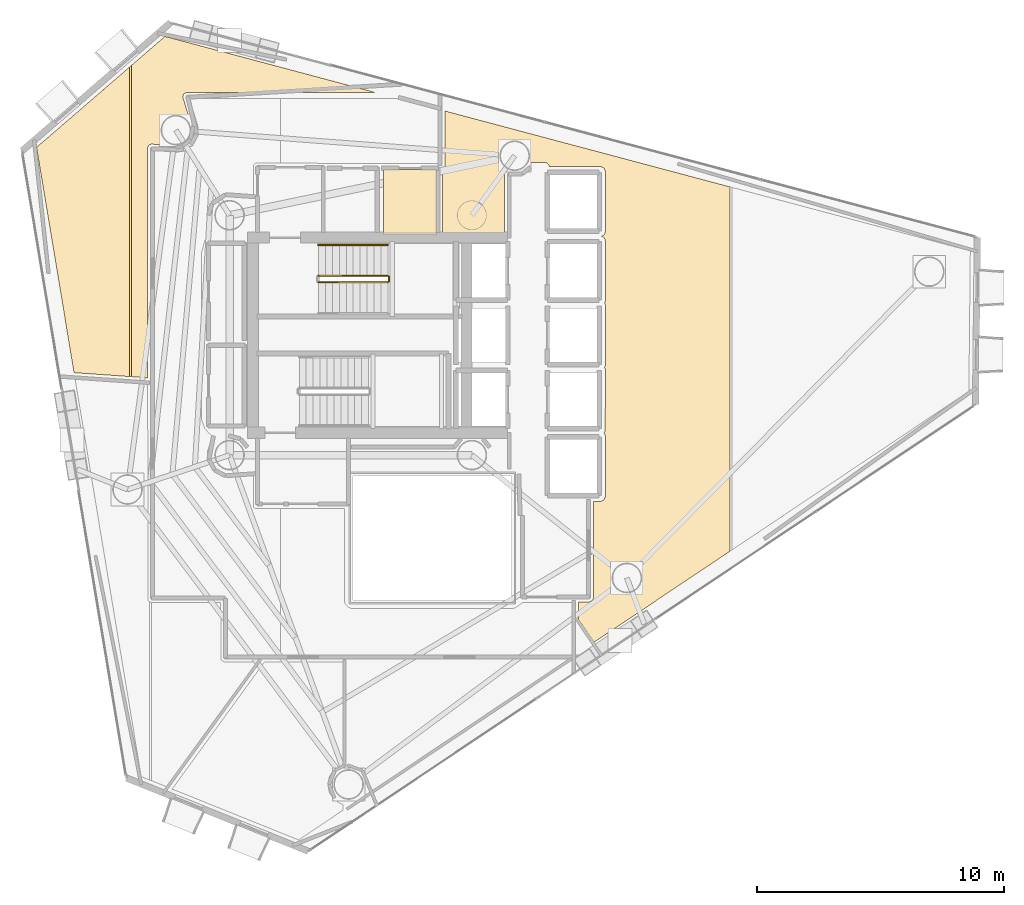
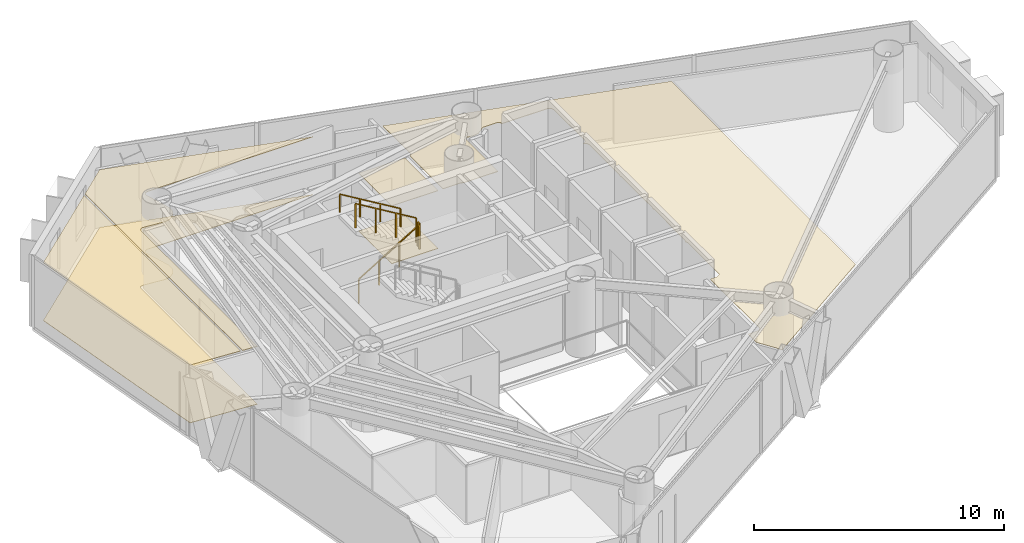
# One storey, part 20 of 21: 6 coverings, 4 railings.
"""IFC4 building model written with IfcOpenShell, lengths in metres."""

from ifc_helpers import new_model, si_unit, direction, frame, origin, origin_2d, place, context, subcontext, project, spatial, polyline, rectangle, outline, extrude, material, layer, layer_set, type_object, element, save


model = new_model("IFC4")

# Units and contexts
model_context = context("Model", 3, precision=1e-05, world=origin(), true_north=direction((0.0, 1.0)))
body_context = subcontext(model_context, "Body", "Model", "MODEL_VIEW")
ifc_project = project(units=[si_unit("LENGTHUNIT", "METRE"), si_unit("AREAUNIT", "SQUARE_METRE"), si_unit("VOLUMEUNIT", "CUBIC_METRE"), si_unit("PLANEANGLEUNIT", "RADIAN"), si_unit("MASSUNIT", "GRAM", prefix="KILO")], contexts=[model_context])

# Site, building, storey
site_placement = place(None, origin())
site = spatial("IfcSite", under=ifc_project, at=site_placement, CompositionType="ELEMENT")
building_placement = place(site_placement, origin())
building = spatial("IfcBuilding", under=site, at=building_placement, Name="Qianvela Tower", CompositionType="ELEMENT")
storey_placement = place(building_placement, frame((0.0, 0.0, 189.199951171875)))
storey = spatial("IfcBuildingStorey", under=building, at=storey_placement, Name="L48", CompositionType="ELEMENT", Elevation=189.199951171875)

# Coverings
ifc_material_1 = material(Name="Perforated Mineral Acoustic Ceiling Tile")
ifc_layer_1 = layer(ifc_material_1, 0.02490234375)
ifc_layer_set_1 = layer_set([ifc_layer_1], Name="Perforated Mineral Acoustic Ceiling Tile")
covering_type_1 = type_object("IfcCoveringType", Name="COV-CEIL-ACOUSTIC-25", PredefinedType="CEILING", material=ifc_layer_set_1)
covering_1_placement = place(storey_placement, frame((0.0, 0.0, 2.81494140625)))
element("IfcCovering", 1, at=covering_1_placement, inside=storey, type_object=covering_type_1, Name="L48 Acoustic Ceiling L48 Core Tea Pantry", PredefinedType="CEILING", context=body_context, shape_type="SweptSolid", body=[
    extrude(outline(polyline([(36.969970703125, 32.760009765625), (34.830078125, 32.760009765625), (34.830078125, 35.39990234375), (36.969970703125, 35.39990234375), (36.969970703125, 32.760009765625)])), origin(), (0.0, 0.0, 1.0), 0.025146484375),
])
covering_2_placement = place(storey_placement, frame((0.0, 0.0, 2.81494140625)))
element("IfcCovering", 2, at=covering_2_placement, inside=storey, type_object=covering_type_1, Name="L48 Acoustic Ceiling Bay 1 Student Bookshop Market L48-04", PredefinedType="CEILING", context=body_context, shape_type="SweptSolid", body=[
    extrude(outline(polyline([(43.722412109375, 32.739013671875), (43.729248046875, 32.74267578125), (43.73583984375, 32.746826171875), (43.741943359375, 32.751953125), (43.74755859375, 32.757568359375), (43.75244140625, 32.763427734375), (43.7568359375, 32.77001953125), (43.760498046875, 32.777099609375), (43.763427734375, 32.7841796875), (43.79541015625, 32.873046875), (43.7978515625, 32.8818359375), (43.799560546875, 32.890869140625), (43.800048828125, 32.89990234375), (43.800048828125, 35.300048828125), (43.799560546875, 35.30908203125), (43.7978515625, 35.318115234375), (43.79541015625, 35.326904296875), (43.763427734375, 35.415771484375), (43.760498046875, 35.423095703125), (43.7568359375, 35.429931640625), (43.75244140625, 35.4365234375), (43.74755859375, 35.4423828125), (43.741943359375, 35.447998046875), (43.73583984375, 35.453125), (43.729248046875, 35.45751953125), (43.722412109375, 35.461181640625), (43.6142578125, 35.51220703125), (43.607666015625, 35.51513671875), (43.60107421875, 35.51708984375), (43.593994140625, 35.518798828125), (43.587158203125, 35.519775390625), (43.580078125, 35.52001953125), (41.515625, 35.52001953125), (41.513916015625, 35.554931640625), (41.512939453125, 35.563232421875), (41.51123046875, 35.5712890625), (41.508544921875, 35.5791015625), (41.50537109375, 35.5869140625), (41.501220703125, 35.593994140625), (41.496337890625, 35.6005859375), (41.49072265625, 35.60693359375), (41.484619140625, 35.612548828125), (41.426513671875, 35.660400390625), (41.420166015625, 35.6650390625), (41.413330078125, 35.6689453125), (41.40625, 35.67236328125), (41.39892578125, 35.675048828125), (41.391357421875, 35.677001953125), (41.383544921875, 35.677978515625), (41.375732421875, 35.678466796875), (40.750244140625, 35.679931640625), (40.742919921875, 35.6796875), (40.7353515625, 35.6787109375), (40.728271484375, 35.677001953125), (40.72119140625, 35.674560546875), (40.71435546875, 35.671630859375), (40.7080078125, 35.668212890625), (40.701904296875, 35.663818359375), (40.361083984375, 35.406982421875), (40.127685546875, 35.360595703125), (39.859375, 35.396484375), (39.85107421875, 35.397216796875), (39.843017578125, 35.397216796875), (39.8349609375, 35.396240234375), (39.826904296875, 35.394287109375), (39.819091796875, 35.391845703125), (39.811767578125, 35.388427734375), (39.8046875, 35.38427734375), (39.798095703125, 35.37939453125), (39.7919921875, 35.3740234375), (39.78662109375, 35.367919921875), (39.78173828125, 35.361328125), (39.733154296875, 35.287841796875), (39.729248046875, 35.28125), (39.72607421875, 35.274169921875), (39.723388671875, 35.266845703125), (39.721435546875, 35.25927734375), (39.720458984375, 35.25146484375), (39.719970703125, 35.243896484375), (39.719970703125, 32.719970703125), (38.126953125, 32.719970703125), (38.051025390625, 32.760009765625), (38.0439453125, 32.763427734375), (38.03662109375, 32.765869140625), (38.029296875, 32.767822265625), (38.021484375, 32.768798828125), (38.013916015625, 32.769287109375), (37.2099609375, 32.77001953125), (37.2099609375, 35.41796875), (37.220458984375, 35.420654296875), (37.227783203125, 35.4228515625), (37.235107421875, 35.42578125), (37.241943359375, 35.4296875), (37.248291015625, 35.433837890625), (37.25439453125, 35.43896484375), (37.260009765625, 35.4443359375), (37.264892578125, 35.450439453125), (37.269287109375, 35.456787109375), (37.27294921875, 35.4638671875), (37.30224609375, 35.525634765625), (37.304931640625, 35.5322265625), (37.30712890625, 35.5390625), (37.30859375, 35.5458984375), (37.309814453125, 35.552978515625), (37.31005859375, 35.56005859375), (37.31005859375, 37.767822265625), (48.84521484375, 34.69580078125), (48.84521484375, 19.968505859375), (43.334716796875, 16.280517578125), (42.7099609375, 17.207763671875), (42.70751953125, 17.920166015625), (43.157958984375, 17.92041015625), (43.166259765625, 17.9208984375), (43.174560546875, 17.922119140625), (43.1826171875, 17.92431640625), (43.1904296875, 17.927490234375), (43.197998046875, 17.93115234375), (43.205078125, 17.935791015625), (43.211669921875, 17.941162109375), (43.2822265625, 18.005126953125), (43.2880859375, 18.010986328125), (43.293212890625, 18.017578125), (43.2978515625, 18.0244140625), (43.301513671875, 18.031982421875), (43.3046875, 18.039794921875), (43.306640625, 18.0478515625), (43.30810546875, 18.055908203125), (43.30859375, 18.064453125), (43.309326171875, 21.980712890625), (43.60791015625, 21.982666015625), (43.615478515625, 21.983154296875), (43.623291015625, 21.984375), (43.630859375, 21.986083984375), (43.637939453125, 21.98876953125), (43.64501953125, 21.9921875), (43.716796875, 22.030517578125), (43.723388671875, 22.034423828125), (43.729736328125, 22.039306640625), (43.735595703125, 22.04443359375), (43.74072265625, 22.05029296875), (43.74560546875, 22.056640625), (43.74951171875, 22.063232421875), (43.787841796875, 22.135009765625), (43.791259765625, 22.14208984375), (43.7939453125, 22.1494140625), (43.7958984375, 22.156982421875), (43.796875, 22.164794921875), (43.79736328125, 22.172607421875), (43.79736328125, 24.627197265625), (43.797119140625, 24.634521484375), (43.7958984375, 24.6416015625), (43.79443359375, 24.648681640625), (43.792236328125, 24.655517578125), (43.789306640625, 24.662109375), (43.785888671875, 24.66845703125), (43.7373046875, 24.749267578125), (43.735595703125, 24.752197265625), (43.771240234375, 24.795654296875), (43.77587890625, 24.802001953125), (43.77978515625, 24.80859375), (43.783203125, 24.815673828125), (43.785888671875, 24.822998046875), (43.787841796875, 24.83056640625), (43.788818359375, 24.83837890625), (43.789306640625, 24.84619140625), (43.800048828125, 27.2998046875), (43.799560546875, 27.3076171875), (43.798583984375, 27.315673828125), (43.79638671875, 27.323486328125), (43.793701171875, 27.3310546875), (43.7646484375, 27.39990234375), (43.793701171875, 27.468994140625), (43.79638671875, 27.476318359375), (43.79833984375, 27.484130859375), (43.799560546875, 27.491943359375), (43.800048828125, 27.5), (43.800048828125, 29.89990234375), (43.799560546875, 29.907958984375), (43.79833984375, 29.915771484375), (43.79638671875, 29.923583984375), (43.793701171875, 29.93115234375), (43.7646484375, 30.0), (43.793701171875, 30.06884765625), (43.79638671875, 30.076416015625), (43.79833984375, 30.084228515625), (43.799560546875, 30.092041015625), (43.800048828125, 30.10009765625), (43.800048828125, 32.5), (43.799560546875, 32.509033203125), (43.7978515625, 32.518310546875), (43.79541015625, 32.527099609375), (43.763427734375, 32.61572265625), (43.760498046875, 32.623046875), (43.7568359375, 32.6298828125), (43.75244140625, 32.636474609375), (43.74755859375, 32.642578125), (43.741943359375, 32.648193359375), (43.73583984375, 32.653076171875), (43.729248046875, 32.657470703125), (43.722412109375, 32.6611328125), (43.640380859375, 32.699951171875), (43.722412109375, 32.739013671875)])), origin(), (0.0, 0.0, 1.0), 0.025146484375),
])
covering_3_placement = place(storey_placement, frame((0.0, 0.0, 2.81494140625)))
element("IfcCovering", 3, at=covering_3_placement, inside=storey, type_object=covering_type_1, Name="L48 Acoustic Ceiling Bay 1 Stationery Supply Boutique L48-05", PredefinedType="CEILING", context=body_context, shape_type="SweptSolid", body=[
    extrude(outline(polyline([(22.310791015625, 27.184326171875), (20.795654296875, 36.297119140625), (24.552978515625, 39.543212890625), (24.552978515625, 27.027587890625), (22.310791015625, 27.184326171875)])), origin(), (0.0, 0.0, 1.0), 0.025146484375),
])
covering_4_placement = place(storey_placement, frame((0.0, 0.0, 2.81494140625)))
element("IfcCovering", 4, at=covering_4_placement, inside=storey, type_object=covering_type_1, Name="L48 Acoustic Ceiling Bay 2 Stationery Supply Boutique L48-05", PredefinedType="CEILING", context=body_context, shape_type="SweptSolid", body=[
    extrude(outline(polyline([(34.523193359375, 38.510009765625), (26.871826171875, 38.510009765625), (26.86474609375, 38.509765625), (26.85791015625, 38.5087890625), (26.850830078125, 38.507080078125), (26.843994140625, 38.505126953125), (26.837646484375, 38.502197265625), (26.77587890625, 38.47314453125), (26.769287109375, 38.469482421875), (26.762939453125, 38.465576171875), (26.757080078125, 38.460693359375), (26.751708984375, 38.45556640625), (26.746826171875, 38.449951171875), (26.74267578125, 38.44384765625), (26.739013671875, 38.4375), (26.73583984375, 38.4306640625), (26.7333984375, 38.423583984375), (26.7314453125, 38.41650390625), (26.716796875, 38.34228515625), (26.7158203125, 38.334716796875), (26.71533203125, 38.326904296875), (26.7158203125, 38.31884765625), (26.716796875, 38.311279296875), (26.71875, 38.3037109375), (27.0751953125, 37.128173828125), (27.0751953125, 36.864013671875), (26.97412109375, 36.61962890625), (26.902099609375, 36.531982421875), (26.682373046875, 36.385009765625), (26.423095703125, 36.33349609375), (25.457763671875, 36.42822265625), (25.448974609375, 36.4287109375), (25.440185546875, 36.427978515625), (25.431396484375, 36.426513671875), (25.423095703125, 36.423828125), (25.372314453125, 36.40576171875), (25.365478515625, 36.403076171875), (25.35888671875, 36.399658203125), (25.352783203125, 36.3955078125), (25.346923828125, 36.39111328125), (25.341552734375, 36.385986328125), (25.3369140625, 36.38037109375), (25.33251953125, 36.37451171875), (25.32861328125, 36.3681640625), (25.2998046875, 36.314208984375), (25.29638671875, 36.30712890625), (25.293701171875, 36.2998046875), (25.2919921875, 36.2919921875), (25.290771484375, 36.2841796875), (25.290283203125, 36.276611328125), (25.2900390625, 26.97607421875), (24.633056640625, 27.02197265625), (24.633056640625, 39.6123046875), (25.988037109375, 40.783203125), (34.523193359375, 38.510009765625)])), origin(), (0.0, 0.0, 1.0), 0.025146484375),
])
ifc_material_2 = material(Name="Engineered Acoustic Oak Timber Flooring", Category="wood")
ifc_layer_2 = layer(ifc_material_2, 0.02001953125)
ifc_layer_set_2 = layer_set([ifc_layer_2], Name="Engineered Acoustic Oak Timber Flooring")
covering_type_2 = type_object("IfcCoveringType", Name="COV-FLOOR-OAK-20", PredefinedType="FLOORING", material=ifc_layer_set_2)
covering_5_placement = place(storey_placement, origin())
element("IfcCovering", 5, at=covering_5_placement, inside=storey, type_object=covering_type_2, Name="L48 Finish Flooring L48 Core Tea Pantry", PredefinedType="FLOORING", context=body_context, shape_type="SweptSolid", body=[
    extrude(outline(polyline([(36.969970703125, 32.760009765625), (34.830078125, 32.760009765625), (34.830078125, 35.39990234375), (36.969970703125, 35.39990234375), (36.969970703125, 32.760009765625)])), origin(), (0.0, 0.0, 1.0), 0.02001953125),
])
covering_6_placement = place(storey_placement, origin())
element("IfcCovering", 6, at=covering_6_placement, inside=storey, type_object=covering_type_2, Name="L48 Finish Flooring Stationery Supply Boutique L48-05", PredefinedType="FLOORING", context=body_context, shape_type="SweptSolid", body=[
    extrude(outline(polyline([(25.988037109375, 40.783203125), (34.523193359375, 38.510009765625), (26.871826171875, 38.510009765625), (26.86474609375, 38.509765625), (26.85791015625, 38.5087890625), (26.850830078125, 38.507080078125), (26.843994140625, 38.505126953125), (26.837646484375, 38.502197265625), (26.77587890625, 38.47314453125), (26.769287109375, 38.469482421875), (26.762939453125, 38.465576171875), (26.757080078125, 38.460693359375), (26.751708984375, 38.45556640625), (26.746826171875, 38.449951171875), (26.74267578125, 38.44384765625), (26.739013671875, 38.4375), (26.73583984375, 38.4306640625), (26.7333984375, 38.423583984375), (26.7314453125, 38.41650390625), (26.716796875, 38.34228515625), (26.7158203125, 38.334716796875), (26.71533203125, 38.326904296875), (26.7158203125, 38.31884765625), (26.716796875, 38.311279296875), (26.71875, 38.3037109375), (27.0751953125, 37.128173828125), (27.0751953125, 36.864013671875), (26.97412109375, 36.61962890625), (26.902099609375, 36.531982421875), (26.682373046875, 36.385009765625), (26.423095703125, 36.33349609375), (25.457763671875, 36.42822265625), (25.448974609375, 36.4287109375), (25.440185546875, 36.427978515625), (25.431396484375, 36.426513671875), (25.423095703125, 36.423828125), (25.372314453125, 36.40576171875), (25.365478515625, 36.403076171875), (25.35888671875, 36.399658203125), (25.352783203125, 36.3955078125), (25.346923828125, 36.39111328125), (25.341552734375, 36.385986328125), (25.3369140625, 36.38037109375), (25.33251953125, 36.37451171875), (25.32861328125, 36.3681640625), (25.2998046875, 36.314208984375), (25.29638671875, 36.30712890625), (25.293701171875, 36.2998046875), (25.2919921875, 36.2919921875), (25.290771484375, 36.2841796875), (25.290283203125, 36.276611328125), (25.2900390625, 26.97607421875), (22.310791015625, 27.184326171875), (20.795654296875, 36.297119140625), (25.988037109375, 40.783203125)])), origin(), (0.0, 0.0, 1.0), 0.02001953125),
])

# Railings
ifc_material_3 = material(Name="Painted Tubular Steel Q355B", Category="steel")
railing_type_1 = type_object("IfcRailingType", Name="RL-STAIR-GUARD-1200", PredefinedType="GUARDRAIL", material=ifc_material_3)
railing_1_placement = place(storey_placement, frame((32.199951171875, 30.840087890625, 0.168212890625)))
element("IfcRailing", 7, at=railing_1_placement, inside=storey, type_object=railing_type_1, Name="L48 ST-1 stair guard 1", PredefinedType="GUARDRAIL", context=body_context, shape_type="SweptSolid", body=[
    extrude(rectangle(XDim=0.050048828125, YDim=0.0400390625, at=origin_2d()), frame((0.0, 0.0, 1.179931640625), z_axis=(0.857242210791, 0.0, 0.514913383045), x_axis=(0.0, 1.0, 0.0)), (0.0, 0.0, 1.0), 3.266357421875),
    extrude(rectangle(XDim=0.050048828125, YDim=0.050048828125, at=origin_2d()), origin(), (0.0, 0.0, 1.0), 1.159912109375),
    extrude(rectangle(XDim=0.050048828125, YDim=0.050048828125, at=origin_2d()), frame((0.933349609375, 0.0, 0.560546875)), (0.0, 0.0, 1.0), 1.159912109375),
    extrude(rectangle(XDim=0.050048828125, YDim=0.050048828125, at=origin_2d()), frame((1.86669921875, 0.0, 1.121337890625)), (0.0, 0.0, 1.0), 1.159912109375),
    extrude(rectangle(XDim=0.050048828125, YDim=0.050048828125, at=origin_2d()), frame((2.800048828125, 0.0, 1.681884765625)), (0.0, 0.0, 1.0), 1.159912109375),
])
railing_2_placement = place(storey_placement, frame((35.050048828125, 30.889892578125, 1.85009765625)))
element("IfcRailing", 8, at=railing_2_placement, inside=storey, type_object=railing_type_1, Name="L48 ST-1 stair guard 2", PredefinedType="GUARDRAIL", context=body_context, shape_type="SweptSolid", body=[
    extrude(rectangle(XDim=0.050048828125, YDim=0.0400390625, at=origin_2d()), frame((0.0, 0.0, 1.179931640625), z_axis=(0.0, 1.0, 0.0), x_axis=(-1.0, 0.0, 0.0)), (0.0, 0.0, 1.0), 0.16015625),
    extrude(rectangle(XDim=0.050048828125, YDim=0.050048828125, at=origin_2d()), origin(), (0.0, 0.0, 1.0), 1.159912109375),
    extrude(rectangle(XDim=0.050048828125, YDim=0.050048828125, at=origin_2d()), frame((0.0, 0.16015625, 0.0)), (0.0, 0.0, 1.0), 1.159912109375),
])
railing_3_placement = place(storey_placement, frame((35.0, 31.10009765625, 2.018310546875)))
element("IfcRailing", 9, at=railing_3_placement, inside=storey, type_object=railing_type_1, Name="L48 ST-1 stair guard 3", PredefinedType="GUARDRAIL", context=body_context, shape_type="SweptSolid", body=[
    extrude(rectangle(XDim=0.050048828125, YDim=0.0400390625, at=origin_2d()), frame((0.0, 0.0, 1.179931640625), z_axis=(-0.857275202839, 0.0, 0.514858452973), x_axis=(0.0, -1.0, 0.0)), (0.0, 0.0, 1.0), 3.26611328125),
    extrude(rectangle(XDim=0.050048828125, YDim=0.050048828125, at=origin_2d()), origin(), (0.0, 0.0, 1.0), 1.159912109375),
    extrude(rectangle(XDim=0.050048828125, YDim=0.050048828125, at=origin_2d()), frame((-0.933349609375, 0.0, 0.560546875)), (0.0, 0.0, 1.0), 1.159912109375),
    extrude(rectangle(XDim=0.050048828125, YDim=0.050048828125, at=origin_2d()), frame((-1.86669921875, 0.0, 1.12109375)), (0.0, 0.0, 1.0), 1.159912109375),
    extrude(rectangle(XDim=0.050048828125, YDim=0.050048828125, at=origin_2d()), frame((-2.800048828125, 0.0, 1.681640625)), (0.0, 0.0, 1.0), 1.159912109375),
])
ifc_material_4 = material(Name="Brushed Stainless Steel 304", Category="steel")
railing_type_2 = type_object("IfcRailingType", Name="RL-STAIR-HANDRAIL-900", PredefinedType="HANDRAIL", material=ifc_material_4)
railing_4_placement = place(storey_placement, frame((35.0, 32.35009765625, 2.018310546875)))
element("IfcRailing", 10, at=railing_4_placement, inside=storey, type_object=railing_type_2, Name="L48 ST-1 stair handrail 2", PredefinedType="HANDRAIL", context=body_context, shape_type="SweptSolid", body=[
    extrude(rectangle(XDim=0.050048828125, YDim=0.0400390625, at=origin_2d()), frame((0.0, 0.0, 0.8798828125), z_axis=(-0.857275202839, 0.0, 0.514858452973), x_axis=(0.0, -1.0, 0.0)), (0.0, 0.0, 1.0), 3.26611328125),
    extrude(rectangle(XDim=0.050048828125, YDim=0.050048828125, at=origin_2d()), origin(), (0.0, 0.0, 1.0), 0.85986328125),
    extrude(rectangle(XDim=0.050048828125, YDim=0.050048828125, at=origin_2d()), frame((-0.933349609375, 0.0, 0.560546875)), (0.0, 0.0, 1.0), 0.85986328125),
    extrude(rectangle(XDim=0.050048828125, YDim=0.050048828125, at=origin_2d()), frame((-1.86669921875, 0.0, 1.12109375)), (0.0, 0.0, 1.0), 0.85986328125),
    extrude(rectangle(XDim=0.050048828125, YDim=0.050048828125, at=origin_2d()), frame((-2.800048828125, 0.0, 1.681640625)), (0.0, 0.0, 1.0), 0.85986328125),
])

save(model, "model.ifc")
